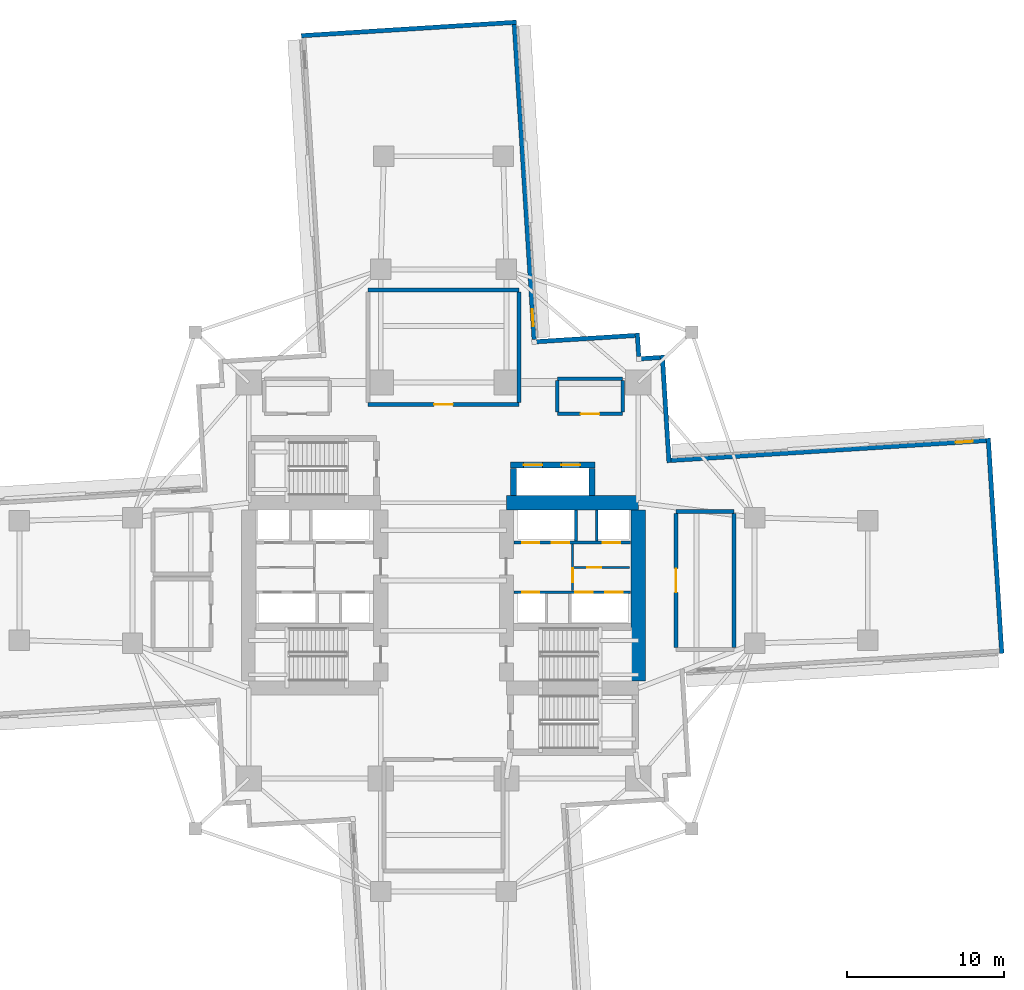
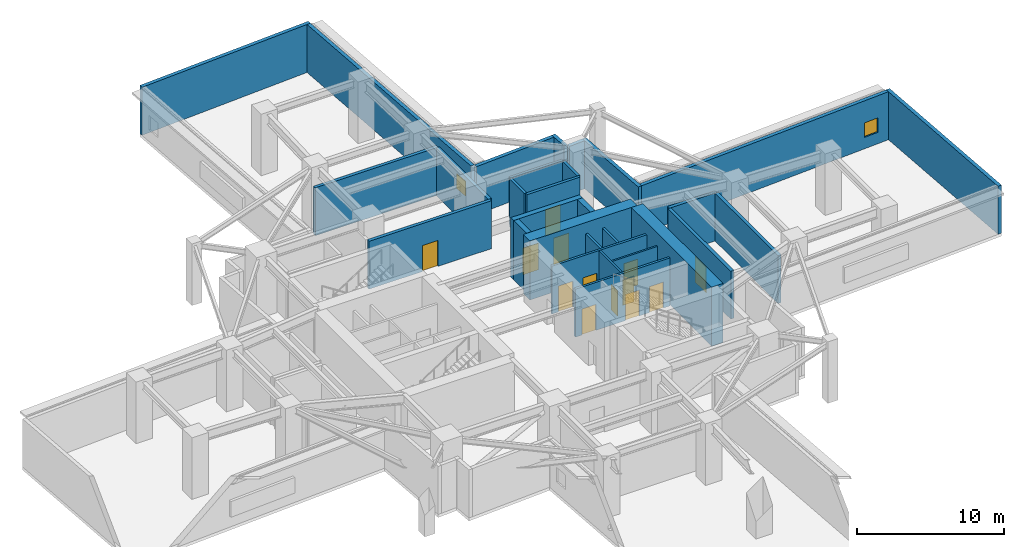
# One storey, part 5 of 11: 29 walls, 13 doors, 2 windows, 15 openings.
"""IFC4 building model written with IfcOpenShell, lengths in metres."""

from ifc_helpers import new_model, si_unit, direction, frame, frame_2d, origin, place, context, subcontext, project, spatial, rectangle, extrude, material, layer, layer_set, type_object, element, fill, save


model = new_model("IFC4")

# Units and contexts
model_context = context("Model", 3, precision=1e-05, world=origin(), true_north=direction((0.0, 1.0)))
body_context = subcontext(model_context, "Body", "Model", "MODEL_VIEW")
ifc_project = project(units=[si_unit("LENGTHUNIT", "METRE"), si_unit("AREAUNIT", "SQUARE_METRE"), si_unit("VOLUMEUNIT", "CUBIC_METRE"), si_unit("PLANEANGLEUNIT", "RADIAN"), si_unit("MASSUNIT", "GRAM", prefix="KILO")], contexts=[model_context])

# Site, building, storey
site_placement = place(None, origin())
site = spatial("IfcSite", under=ifc_project, at=site_placement, CompositionType="ELEMENT")
building_placement = place(site_placement, origin())
building = spatial("IfcBuilding", under=site, at=building_placement, Name="Qingluan Cross Belvedere", CompositionType="ELEMENT")
storey_placement = place(building_placement, frame((0.0, 0.0, 47.10009765625)))
storey = spatial("IfcBuildingStorey", under=building, at=storey_placement, Name="L12", CompositionType="ELEMENT", Elevation=47.10009765625)

# Wall
ifc_material_1 = material(Name="Concrete C50", Category="concrete")
ifc_layer_1 = layer(ifc_material_1, 0.449951171875, Name="CoreShearWall_450")
ifc_layer_set_1 = layer_set([ifc_layer_1], Name="Concrete C50")
wall_type_1 = type_object("IfcWallType", Name="CoreShearWall_450", PredefinedType="SHEAR", material=ifc_layer_set_1)
wall_1_placement = place(storey_placement, frame((4.449951171875, 5.405029296875, 0.0), z_axis=(0.0, 0.0, 1.0), x_axis=(0.0, 1.0, 0.0)))
element("IfcWall", 1, at=wall_1_placement, inside=storey, type_object=wall_type_1, Name="Express shuttle core wall L12-W", PredefinedType="SHEAR", context=body_context, shape_type="SweptSolid", body=[
    extrude(rectangle(XDim=1.73486328125, YDim=0.39990234375, at=frame_2d((0.867431640625, 0.0))), origin(), (0.0, 0.0, 1.0), 4.89990234375),
])

# Wall, openings, doors
wall_2_placement = place(storey_placement, frame((4.25, 7.35009765625, 0.0), z_axis=(0.0, 0.0, 1.0), x_axis=(1.0, 0.0, 0.0)))
wall_2 = element("IfcWall", 2, at=wall_2_placement, inside=storey, type_object=wall_type_1, Name="Express shuttle core wall L12-N", PredefinedType="SHEAR", context=body_context, shape_type="SweptSolid", body=[
    extrude(rectangle(XDim=5.39990234375, YDim=0.39990234375, at=frame_2d((2.699951171875, 0.0))), origin(), (0.0, 0.0, 1.0), 4.89990234375),
])
opening_1_placement = place(wall_2_placement, frame((0.85009765625, 0.0, 0.0)))
opening_1 = element("IfcOpeningElement", 3, at=opening_1_placement, cuts=wall_2, Name="Opening LD-12", PredefinedType="OPENING", context=body_context, shape_type="SweptSolid", body=[
    extrude(rectangle(XDim=1.199951171875, YDim=2.199951171875, at=frame_2d((0.60009765625, 1.10009765625))), frame((0.0, 0.2099609375, 0.0), z_axis=(0.0, -1.0, 0.0), x_axis=(1.0, 0.0, 0.0)), (0.0, 0.0, 1.0), 0.419921875),
])
opening_2_placement = place(wall_2_placement, frame((3.25, 0.0, 0.0)))
opening_2 = element("IfcOpeningElement", 4, at=opening_2_placement, cuts=wall_2, Name="Opening LD-12", PredefinedType="OPENING", context=body_context, shape_type="SweptSolid", body=[
    extrude(rectangle(XDim=1.199951171875, YDim=2.199951171875, at=frame_2d((0.60009765625, 1.10009765625))), frame((0.0, 0.2099609375, 0.0), z_axis=(0.0, -1.0, 0.0), x_axis=(1.0, 0.0, 0.0)), (0.0, 0.0, 1.0), 0.419921875),
])
ifc_material_2 = material(Name="Bronze-anodised stainless steel lift landing door", Category="steel")
door_type_1 = type_object("IfcDoorType", Name="ExpressLiftSlidingDoor_1200", OperationType="DOUBLE_DOOR_SLIDING", PredefinedType="DOOR", material=ifc_material_2)
door_1_placement = place(opening_1_placement, origin())
door_1 = element("IfcDoor", 5, at=door_1_placement, inside=storey, type_object=door_type_1, Name="Express shuttle landing sliding door LPX1 L12", OperationType="DOUBLE_DOOR_SLIDING", OverallHeight=2.199951171875, OverallWidth=1.199951171875, PredefinedType="DOOR", context=body_context, shape_type="SweptSolid", body=[
    extrude(rectangle(XDim=1.199951171875, YDim=2.199951171875, at=frame_2d((0.60009765625, 1.10009765625))), frame((0.0, 0.02490234375, 0.0), z_axis=(0.0, -1.0, 0.0), x_axis=(1.0, 0.0, 0.0)), (0.0, 0.0, 1.0), 0.050048828125),
])
fill(opening_1, door_1)
door_2_placement = place(opening_2_placement, origin())
door_2 = element("IfcDoor", 6, at=door_2_placement, inside=storey, type_object=door_type_1, Name="Express shuttle landing sliding door LPX2 L12", OperationType="DOUBLE_DOOR_SLIDING", OverallHeight=2.199951171875, OverallWidth=1.199951171875, PredefinedType="DOOR", context=body_context, shape_type="SweptSolid", body=[
    extrude(rectangle(XDim=1.199951171875, YDim=2.199951171875, at=frame_2d((0.60009765625, 1.10009765625))), frame((0.0, 0.02490234375, 0.0), z_axis=(0.0, -1.0, 0.0), x_axis=(1.0, 0.0, 0.0)), (0.0, 0.0, 1.0), 0.050048828125),
])
fill(opening_2, door_2)

# Walls
wall_3_placement = place(storey_placement, frame((9.449951171875, 5.405029296875, 0.0), z_axis=(0.0, 0.0, 1.0), x_axis=(0.0, 1.0, 0.0)))
element("IfcWall", 7, at=wall_3_placement, inside=storey, type_object=wall_type_1, Name="Express shuttle core wall L12-E", PredefinedType="SHEAR", context=body_context, shape_type="SweptSolid", body=[
    extrude(rectangle(XDim=1.73486328125, YDim=0.39990234375, at=frame_2d((0.867431640625, 0.0))), origin(), (0.0, 0.0, 1.0), 4.89990234375),
])
ifc_material_3 = material(Name="Concrete C70", Category="concrete")
ifc_layer_2 = layer(ifc_material_3, 0.89990234375, Name="CoreShearWall_900")
ifc_layer_set_2 = layer_set([ifc_layer_2], Name="Concrete C70")
wall_type_2 = type_object("IfcWallType", Name="CoreShearWall_900", PredefinedType="SHEAR", material=ifc_layer_set_2)
wall_4_placement = place(storey_placement, frame((4.0, 4.949951171875, 0.0), z_axis=(0.0, 0.0, 1.0), x_axis=(1.0, 0.0, 0.0)))
element("IfcWall", 8, at=wall_4_placement, inside=storey, type_object=wall_type_2, Name="Split core E shear wall L12-N", PredefinedType="SHEAR", context=body_context, shape_type="SweptSolid", body=[
    extrude(rectangle(XDim=8.39990234375, YDim=0.89990234375, at=frame_2d((4.199951171875, 0.0))), origin(), (0.0, 0.0, 1.0), 4.89990234375),
])
wall_5_placement = place(storey_placement, frame((12.39990234375, -6.39501953125, 0.0), z_axis=(0.0, 0.0, 1.0), x_axis=(0.0, 1.0, 0.0)))
element("IfcWall", 9, at=wall_5_placement, inside=storey, type_object=wall_type_2, Name="Split core E shear wall L12-E", PredefinedType="SHEAR", context=body_context, shape_type="SweptSolid", body=[
    extrude(rectangle(XDim=10.89013671875, YDim=0.89990234375, at=frame_2d((5.445068359375, 0.0))), origin(), (0.0, 0.0, 1.0), 4.89990234375),
])

# Wall, opening, door
ifc_material_4 = material(Name="Gypsum plasterboard on steel stud acoustic partition", Category="steel")
ifc_layer_3 = layer(ifc_material_4, 0.159912109375, Name="CorridorPartition_160")
ifc_layer_set_3 = layer_set([ifc_layer_3], Name="Gypsum plasterboard on steel stud acoustic partition")
wall_type_3 = type_object("IfcWallType", Name="CorridorPartition_160", PredefinedType="PARTITIONING", material=ifc_layer_set_3)
wall_6_placement = place(storey_placement, frame((8.298095703125, 0.830078125, 0.0), z_axis=(0.0, 0.0, 1.0), x_axis=(1.0, 0.0, 0.0)))
wall_6 = element("IfcWall", 10, at=wall_6_placement, inside=storey, type_object=wall_type_3, Name="Partition L12:e", PredefinedType="PARTITIONING", context=body_context, shape_type="SweptSolid", body=[
    extrude(rectangle(XDim=3.552001953125, YDim=0.139892578125, at=frame_2d((1.77587890625, 0.0))), origin(), (0.0, 0.0, 1.0), 3.969970703125),
])
opening_3_placement = place(wall_6_placement, frame((0.85009765625, 0.0, 0.0)))
opening_3 = element("IfcOpeningElement", 11, at=opening_3_placement, cuts=wall_6, Name="Opening FD-B10", PredefinedType="OPENING", context=body_context, shape_type="SweptSolid", body=[
    extrude(rectangle(XDim=0.8798828125, YDim=2.10009765625, at=frame_2d((0.43994140625, 1.050048828125))), frame((0.0, 0.079833984375, 0.0), z_axis=(0.0, -1.0, 0.0), x_axis=(1.0, 0.0, 0.0)), (0.0, 0.0, 1.0), 0.159912109375),
])
ifc_material_5 = material(Name="Steel Class B service fire door", Category="steel")
door_type_2 = type_object("IfcDoorType", Name="RiserServiceFireDoor_FDB", OperationType="NOTDEFINED", PredefinedType="DOOR", material=ifc_material_5)
door_3_placement = place(opening_3_placement, origin())
door_3 = element("IfcDoor", 12, at=door_3_placement, inside=storey, type_object=door_type_2, Name="Service closet inner door L12", OperationType="SINGLE_SWING_LEFT", OverallHeight=2.10009765625, OverallWidth=0.8798828125, PredefinedType="DOOR", context=body_context, shape_type="SweptSolid", body=[
    extrude(rectangle(XDim=0.8798828125, YDim=2.10009765625, at=frame_2d((0.43994140625, 1.050048828125))), frame((0.0, 0.02490234375, 0.0), z_axis=(0.0, -1.0, 0.0), x_axis=(1.0, 0.0, 0.0)), (0.0, 0.0, 1.0), 0.050048828125),
])
fill(opening_3, door_3)

wall_7_placement = place(storey_placement, frame((7.25, 10.60009765625, 0.0), z_axis=(0.0, 0.0, 1.0), x_axis=(1.0, 0.0, 0.0)))
wall_7 = element("IfcWall", 13, at=wall_7_placement, inside=storey, type_object=wall_type_3, Name="Partition L12:refuge_ne:S", PredefinedType="PARTITIONING", context=body_context, shape_type="SweptSolid", body=[
    extrude(rectangle(XDim=4.14990234375, YDim=0.219970703125, at=frame_2d((2.074951171875, 0.0))), origin(), (0.0, 0.0, 1.0), 3.969970703125),
])
opening_4_placement = place(wall_7_placement, frame((1.47509765625, 0.0, 0.0)))
opening_4 = element("IfcOpeningElement", 14, at=opening_4_placement, cuts=wall_7, Name="Opening FD-A12", PredefinedType="OPENING", context=body_context, shape_type="SweptSolid", body=[
    extrude(rectangle(XDim=1.199951171875, YDim=2.14990234375, at=frame_2d((0.60009765625, 1.074951171875))), frame((0.0, 0.119873046875, 0.0), z_axis=(0.0, -1.0, 0.0), x_axis=(1.0, 0.0, 0.0)), (0.0, 0.0, 1.0), 0.239990234375),
])
ifc_material_6 = material(Name="Insulated steel Class A fire door", Category="steel")
door_type_3 = type_object("IfcDoorType", Name="RefugeCompartmentDoor_FDA", OperationType="NOTDEFINED", PredefinedType="DOOR", material=ifc_material_6)
door_4_placement = place(opening_4_placement, origin())
door_4 = element("IfcDoor", 15, at=door_4_placement, inside=storey, type_object=door_type_3, Name="Fire refuge bay Northeast L12 door", OperationType="SINGLE_SWING_LEFT", OverallHeight=2.14990234375, OverallWidth=1.199951171875, PredefinedType="DOOR", context=body_context, shape_type="SweptSolid", body=[
    extrude(rectangle(XDim=1.199951171875, YDim=2.14990234375, at=frame_2d((0.60009765625, 1.074951171875))), frame((0.0, 0.02490234375, 0.0), z_axis=(0.0, -1.0, 0.0), x_axis=(1.0, 0.0, 0.0)), (0.0, 0.0, 1.0), 0.050048828125),
])
fill(opening_4, door_4)

# Walls
wall_8_placement = place(storey_placement, frame((7.25, 12.85009765625, 0.0), z_axis=(0.0, 0.0, 1.0), x_axis=(1.0, 0.0, 0.0)))
element("IfcWall", 16, at=wall_8_placement, inside=storey, type_object=wall_type_3, Name="Partition L12:refuge_ne:N", PredefinedType="PARTITIONING", context=body_context, shape_type="SweptSolid", body=[
    extrude(rectangle(XDim=4.14990234375, YDim=0.219970703125, at=frame_2d((2.074951171875, 0.0))), origin(), (0.0, 0.0, 1.0), 3.969970703125),
])
for number, where, z_axis, x_axis, name in (
    (17, (7.25, 10.715087890625, 0.0), (0.0, 0.0, 1.0), (0.0, 1.0, 0.0), "Partition L12:refuge_ne:W"),
    (18, (11.39990234375, 10.715087890625, 0.0), (0.0, 0.0, 1.0), (0.0, 1.0, 0.0), "Partition L12:refuge_ne:E"),
):
    element("IfcWall", number, at=place(storey_placement, frame(where, z_axis=z_axis, x_axis=x_axis)), inside=storey, type_object=wall_type_3, Name=name, PredefinedType="PARTITIONING", context=body_context, shape_type="SweptSolid", body=[
        extrude(rectangle(XDim=2.02001953125, YDim=0.219970703125, at=frame_2d((1.010009765625, 0.0))), origin(), (0.0, 0.0, 1.0), 3.969970703125),
    ])

# Wall, opening, door
ifc_material_7 = material(Name="Concrete C40", Category="concrete")
ifc_layer_4 = layer(ifc_material_7, 0.300048828125, Name="FireCompartmentWall_300")
ifc_layer_set_4 = layer_set([ifc_layer_4], Name="Concrete C40")
wall_type_4 = type_object("IfcWallType", Name="FireCompartmentWall_300", PredefinedType="SOLIDWALL", material=ifc_layer_set_4)
wall_9_placement = place(storey_placement, frame((-4.800048828125, 11.199951171875, 0.0), z_axis=(0.0, 0.0, 1.0), x_axis=(1.0, 0.0, 0.0)))
wall_9 = element("IfcWall", 19, at=wall_9_placement, inside=storey, type_object=wall_type_4, Name="Partition L12:refuge_n:S", PredefinedType="SOLIDWALL", context=body_context, shape_type="SweptSolid", body=[
    extrude(rectangle(XDim=9.60009765625, YDim=0.25, at=frame_2d((4.800048828125, 0.0))), origin(), (0.0, 0.0, 1.0), 3.969970703125),
])
opening_5_placement = place(wall_9_placement, frame((4.199951171875, 0.0, 0.0)))
opening_5 = element("IfcOpeningElement", 20, at=opening_5_placement, cuts=wall_9, Name="Opening FD-A12", PredefinedType="OPENING", context=body_context, shape_type="SweptSolid", body=[
    extrude(rectangle(XDim=1.199951171875, YDim=2.14990234375, at=frame_2d((0.60009765625, 1.074951171875))), frame((0.0, 0.135009765625, 0.0), z_axis=(0.0, -1.0, 0.0), x_axis=(1.0, 0.0, 0.0)), (0.0, 0.0, 1.0), 0.27001953125),
])
door_5_placement = place(opening_5_placement, origin())
door_5 = element("IfcDoor", 21, at=door_5_placement, inside=storey, type_object=door_type_3, Name="Fire refuge area North L12 door", OperationType="SINGLE_SWING_RIGHT", OverallHeight=2.14990234375, OverallWidth=1.199951171875, PredefinedType="DOOR", context=body_context, shape_type="SweptSolid", body=[
    extrude(rectangle(XDim=1.199951171875, YDim=2.14990234375, at=frame_2d((0.60009765625, 1.074951171875))), frame((0.0, 0.02490234375, 0.0), z_axis=(0.0, -1.0, 0.0), x_axis=(1.0, 0.0, 0.0)), (0.0, 0.0, 1.0), 0.050048828125),
])
fill(opening_5, door_5)

# Walls
wall_10_placement = place(storey_placement, frame((-4.800048828125, 18.5, 0.0), z_axis=(0.0, 0.0, 1.0), x_axis=(1.0, 0.0, 0.0)))
element("IfcWall", 22, at=wall_10_placement, inside=storey, type_object=wall_type_4, Name="Partition L12:refuge_n:N", PredefinedType="SOLIDWALL", context=body_context, shape_type="SweptSolid", body=[
    extrude(rectangle(XDim=9.60009765625, YDim=0.25, at=frame_2d((4.800048828125, 0.0))), origin(), (0.0, 0.0, 1.0), 3.969970703125),
])
wall_11_placement = place(storey_placement, frame((4.800048828125, 11.330078125, 0.0), z_axis=(0.0, 0.0, 1.0), x_axis=(0.0, 1.0, 0.0)))
element("IfcWall", 23, at=wall_11_placement, inside=storey, type_object=wall_type_4, Name="Partition L12:refuge_n:E", PredefinedType="SOLIDWALL", context=body_context, shape_type="SweptSolid", body=[
    extrude(rectangle(XDim=7.0400390625, YDim=0.25, at=frame_2d((3.52001953125, 0.0))), origin(), (0.0, 0.0, 1.0), 3.969970703125),
])
wall_12_placement = place(storey_placement, frame((14.800048828125, 4.39990234375, 0.0), z_axis=(0.0, 0.0, 1.0), x_axis=(1.0, 0.0, 0.0)))
element("IfcWall", 24, at=wall_12_placement, inside=storey, type_object=wall_type_4, Name="Partition L12:ahu_plant:N", PredefinedType="SOLIDWALL", context=body_context, shape_type="SweptSolid", body=[
    extrude(rectangle(XDim=3.699951171875, YDim=0.25, at=frame_2d((1.85009765625, 0.0))), origin(), (0.0, 0.0, 1.0), 3.969970703125),
])

# Wall, opening, door
wall_13_placement = place(storey_placement, frame((14.800048828125, -4.27001953125, 0.0), z_axis=(0.0, 0.0, 1.0), x_axis=(0.0, 1.0, 0.0)))
wall_13 = element("IfcWall", 25, at=wall_13_placement, inside=storey, type_object=wall_type_4, Name="Partition L12:ahu_plant:W", PredefinedType="SOLIDWALL", context=body_context, shape_type="SweptSolid", body=[
    extrude(rectangle(XDim=8.5400390625, YDim=0.25, at=frame_2d((4.27001953125, 0.0))), origin(), (0.0, 0.0, 1.0), 3.969970703125),
])
opening_6_placement = place(wall_13_placement, frame((3.52001953125, 0.0, 0.0)))
opening_6 = element("IfcOpeningElement", 26, at=opening_6_placement, cuts=wall_13, Name="Opening FD-A15", PredefinedType="OPENING", context=body_context, shape_type="SweptSolid", body=[
    extrude(rectangle(XDim=1.5, YDim=2.14990234375, at=frame_2d((0.75, 1.074951171875))), frame((0.0, 0.135009765625, 0.0), z_axis=(0.0, -1.0, 0.0), x_axis=(1.0, 0.0, 0.0)), (0.0, 0.0, 1.0), 0.27001953125),
])
ifc_material_8 = material(Name="Insulated steel Class A double fire door", Category="steel")
door_type_4 = type_object("IfcDoorType", Name="PlantDoubleFireDoor_FDA", OperationType="DOUBLE_DOOR_SINGLE_SWING", PredefinedType="DOOR", material=ifc_material_8)
door_6_placement = place(opening_6_placement, origin())
door_6 = element("IfcDoor", 27, at=door_6_placement, inside=storey, type_object=door_type_4, Name="Air handling ventilation plant room L12 door", OperationType="DOUBLE_DOOR_SINGLE_SWING", OverallHeight=2.14990234375, OverallWidth=1.5, PredefinedType="DOOR", context=body_context, shape_type="SweptSolid", body=[
    extrude(rectangle(XDim=1.5, YDim=2.14990234375, at=frame_2d((0.75, 1.074951171875))), frame((0.0, 0.02490234375, 0.0), z_axis=(0.0, -1.0, 0.0), x_axis=(1.0, 0.0, 0.0)), (0.0, 0.0, 1.0), 0.050048828125),
])
fill(opening_6, door_6)

# Wall
wall_14_placement = place(storey_placement, frame((18.5, -4.27001953125, 0.0), z_axis=(0.0, 0.0, 1.0), x_axis=(0.0, 1.0, 0.0)))
element("IfcWall", 28, at=wall_14_placement, inside=storey, type_object=wall_type_4, Name="Partition L12:ahu_plant:E", PredefinedType="SOLIDWALL", context=body_context, shape_type="SweptSolid", body=[
    extrude(rectangle(XDim=8.5400390625, YDim=0.25, at=frame_2d((4.27001953125, 0.0))), origin(), (0.0, 0.0, 1.0), 3.969970703125),
])

# Wall, opening, window
ifc_material_9 = material(Name="Precast concrete C45", Category="concrete")
ifc_layer_5 = layer(ifc_material_9, 0.280029296875, Name="PrecastFacadeWall_280")
ifc_layer_set_5 = layer_set([ifc_layer_5], Name="Precast concrete C45")
wall_type_5 = type_object("IfcWallType", Name="PrecastFacadeWall_280", PredefinedType="STANDARD", material=ifc_layer_set_5)
wall_15_placement = place(storey_placement, frame((34.548828125, 8.906982421875, 0.0), z_axis=(0.0, 0.0, 1.0), x_axis=(-0.99802635503, -0.06279645424, 0.0)))
wall_15 = element("IfcWall", 29, at=wall_15_placement, inside=storey, type_object=wall_type_5, Name="Facade wall L12-EB", PredefinedType="STANDARD", context=body_context, shape_type="SweptSolid", body=[
    extrude(rectangle(XDim=20.099853515625, YDim=0.280029296875, at=frame_2d((10.0498046875, 0.0))), origin(), (0.0, 0.0, 1.0), 3.97998046875),
])
opening_7_placement = place(wall_15_placement, frame((0.85009765625, 0.0, 0.949951171875)))
opening_7 = element("IfcOpeningElement", 30, at=opening_7_placement, cuts=wall_15, Name="Opening W-07", PredefinedType="OPENING", context=body_context, shape_type="SweptSolid", body=[
    extrude(rectangle(XDim=1.10009765625, YDim=1.199951171875, at=frame_2d((0.550048828125, 0.60009765625))), frame((0.0, 0.14990234375, 0.0), z_axis=(0.0, -1.0, 0.0), x_axis=(1.0, 0.0, 0.0)), (0.0, 0.0, 1.0), 0.300048828125),
])
ifc_material_10 = material(Name="Thermally broken triple Low-E glass in aluminium frame", Category="aluminium")
window_type = type_object("IfcWindowType", Name="RefugeSmokeWin_1100x1200", PartitioningType="SINGLE_PANEL", PredefinedType="WINDOW", material=ifc_material_10)
window_1_placement = place(opening_7_placement, origin())
window_1 = element("IfcWindow", 31, at=window_1_placement, inside=storey, type_object=window_type, Name="Refuge operable smoke window L12-EB", OverallHeight=1.199951171875, OverallWidth=1.10009765625, PartitioningType="SINGLE_PANEL", PredefinedType="WINDOW", context=body_context, shape_type="SweptSolid", body=[
    extrude(rectangle(XDim=1.10009765625, YDim=1.199951171875, at=frame_2d((0.550048828125, 0.60009765625))), frame((0.0, 0.030029296875, 0.0), z_axis=(0.0, -1.0, 0.0), x_axis=(1.0, 0.0, 0.0)), (0.0, 0.0, 1.0), 0.06005859375),
])
fill(opening_7, window_1)

# Wall
wall_16_placement = place(storey_placement, frame((35.541259765625, -4.637451171875, 0.0), z_axis=(0.0, 0.0, 1.0), x_axis=(-0.062797041623, 0.998026318072, 0.0)))
element("IfcWall", 32, at=wall_16_placement, inside=storey, type_object=wall_type_5, Name="Arm tip precast facade wall L12-E", PredefinedType="STANDARD", context=body_context, shape_type="SweptSolid", body=[
    extrude(rectangle(XDim=13.719970703125, YDim=0.280029296875, at=frame_2d((6.85986328125, 0.0))), origin(), (0.0, 0.0, 1.0), 3.97998046875),
])

# Wall, opening, window
wall_17_placement = place(storey_placement, frame((5.7685546875, 15.33251953125, 0.0), z_axis=(0.0, 0.0, 1.0), x_axis=(-0.062784355807, 0.998027116198, 0.0)))
wall_17 = element("IfcWall", 33, at=wall_17_placement, inside=storey, type_object=wall_type_5, Name="Facade wall L12-NA", PredefinedType="STANDARD", context=body_context, shape_type="SweptSolid", body=[
    extrude(rectangle(XDim=20.099853515625, YDim=0.280029296875, at=frame_2d((10.0498046875, 0.0))), origin(), (0.0, 0.0, 1.0), 3.97998046875),
])
opening_8_placement = place(wall_17_placement, frame((0.85009765625, 0.0, 0.949951171875)))
opening_8 = element("IfcOpeningElement", 34, at=opening_8_placement, cuts=wall_17, Name="Opening W-07", PredefinedType="OPENING", context=body_context, shape_type="SweptSolid", body=[
    extrude(rectangle(XDim=1.10009765625, YDim=1.199951171875, at=frame_2d((0.550048828125, 0.60009765625))), frame((0.0, 0.14990234375, 0.0), z_axis=(0.0, -1.0, 0.0), x_axis=(1.0, 0.0, 0.0)), (0.0, 0.0, 1.0), 0.300048828125),
])
window_2_placement = place(opening_8_placement, origin())
window_2 = element("IfcWindow", 35, at=window_2_placement, inside=storey, type_object=window_type, Name="Refuge operable smoke window L12-NA", OverallHeight=1.199951171875, OverallWidth=1.10009765625, PartitioningType="SINGLE_PANEL", PredefinedType="WINDOW", context=body_context, shape_type="SweptSolid", body=[
    extrude(rectangle(XDim=1.10009765625, YDim=1.199951171875, at=frame_2d((0.550048828125, 0.60009765625))), frame((0.0, 0.030029296875, 0.0), z_axis=(0.0, -1.0, 0.0), x_axis=(1.0, 0.0, 0.0)), (0.0, 0.0, 1.0), 0.06005859375),
])
fill(opening_8, window_2)

# Walls
wall_18_placement = place(storey_placement, frame((4.637451171875, 35.541259765625, 0.0), z_axis=(0.0, 0.0, 1.0), x_axis=(-0.998026318072, -0.062797041623, 0.0)))
element("IfcWall", 36, at=wall_18_placement, inside=storey, type_object=wall_type_5, Name="Arm tip precast facade wall L12-N", PredefinedType="STANDARD", context=body_context, shape_type="SweptSolid", body=[
    extrude(rectangle(XDim=13.719970703125, YDim=0.280029296875, at=frame_2d((6.85986328125, 0.0))), origin(), (0.0, 0.0, 1.0), 3.97998046875),
])
wall_19_placement = place(storey_placement, frame((14.357666015625, 7.496337890625, 0.0), z_axis=(0.0, 0.0, 1.0), x_axis=(-0.062779317195, 0.998027433156, 0.0)))
element("IfcWall", 37, at=wall_19_placement, inside=storey, type_object=wall_type_5, Name="Corner wall L12-NE1", PredefinedType="STANDARD", context=body_context, shape_type="SweptSolid", body=[
    extrude(rectangle(XDim=6.85986328125, YDim=0.280029296875, at=frame_2d((3.429931640625, 0.0))), origin(), (0.0, 0.0, 1.0), 3.97998046875),
])
wall_20_placement = place(storey_placement, frame((13.7958984375, 14.1943359375, 0.0), z_axis=(0.0, 0.0, 1.0), x_axis=(-0.998023660242, -0.06283926796, 0.0)))
element("IfcWall", 38, at=wall_20_placement, inside=storey, type_object=wall_type_5, Name="Corner wall L12-NE2", PredefinedType="STANDARD", context=body_context, shape_type="SweptSolid", body=[
    extrude(rectangle(XDim=1.219970703125, YDim=0.280029296875, at=frame_2d((0.60986328125, 0.0))), origin(), (0.0, 0.0, 1.0), 3.97998046875),
])
wall_21_placement = place(storey_placement, frame((12.429931640625, 14.24853515625, 0.0), z_axis=(0.0, 0.0, 1.0), x_axis=(-0.062824119533, 0.998024613927, 0.0)))
element("IfcWall", 39, at=wall_21_placement, inside=storey, type_object=wall_type_5, Name="Corner wall L12-NE3", PredefinedType="STANDARD", context=body_context, shape_type="SweptSolid", body=[
    extrude(rectangle(XDim=1.5, YDim=0.280029296875, at=frame_2d((0.75, 0.0))), origin(), (0.0, 0.0, 1.0), 3.97998046875),
])
wall_22_placement = place(storey_placement, frame((12.20458984375, 15.59716796875, 0.0), z_axis=(0.0, 0.0, 1.0), x_axis=(-0.998024885752, -0.062819801181, 0.0)))
element("IfcWall", 40, at=wall_22_placement, inside=storey, type_object=wall_type_5, Name="Corner wall L12-NE4", PredefinedType="STANDARD", context=body_context, shape_type="SweptSolid", body=[
    extrude(rectangle(XDim=6.2998046875, YDim=0.280029296875, at=frame_2d((3.14990234375, 0.0))), origin(), (0.0, 0.0, 1.0), 3.97998046875),
])

# Wall, openings, doors
ifc_material_11 = material(Name="Concrete C40", Category="concrete")
ifc_layer_6 = layer(ifc_material_11, 0.219970703125, Name="ShaftEnclosureWall_250")
ifc_layer_set_6 = layer_set([ifc_layer_6], Name="Concrete C40")
wall_type_6 = type_object("IfcWallType", Name="ShaftEnclosureWall_250", PredefinedType="SOLIDWALL", material=ifc_layer_set_6)
wall_23_placement = place(storey_placement, frame((4.47998046875, 2.409912109375, 0.0), z_axis=(0.0, 0.0, 1.0), x_axis=(1.0, 0.0, 0.0)))
wall_23 = element("IfcWall", 41, at=wall_23_placement, inside=storey, type_object=wall_type_6, Name="Core-E north hoistway wall L12", PredefinedType="SOLIDWALL", context=body_context, shape_type="SweptSolid", body=[
    extrude(rectangle(XDim=7.419921875, YDim=0.179931640625, at=frame_2d((3.7099609375, 0.0))), origin(), (0.0, 0.0, 1.0), 3.969970703125),
])
opening_9_placement = place(wall_23_placement, frame((5.669921875, 0.0, 0.0)))
opening_9 = element("IfcOpeningElement", 42, at=opening_9_placement, cuts=wall_23, Name="Opening LD-11", PredefinedType="OPENING", context=body_context, shape_type="SweptSolid", body=[
    extrude(rectangle(XDim=1.10009765625, YDim=2.14990234375, at=frame_2d((0.550048828125, 1.074951171875))), frame((0.0, 0.099853515625, 0.0), z_axis=(0.0, -1.0, 0.0), x_axis=(1.0, 0.0, 0.0)), (0.0, 0.0, 1.0), 0.199951171875),
])
opening_10_placement = place(wall_23_placement, frame((0.52001953125, 0.0, 0.0)))
opening_10 = element("IfcOpeningElement", 43, at=opening_10_placement, cuts=wall_23, Name="Opening LD-11", PredefinedType="OPENING", context=body_context, shape_type="SweptSolid", body=[
    extrude(rectangle(XDim=1.10009765625, YDim=2.14990234375, at=frame_2d((0.550048828125, 1.074951171875))), frame((0.0, 0.099853515625, 0.0), z_axis=(0.0, -1.0, 0.0), x_axis=(1.0, 0.0, 0.0)), (0.0, 0.0, 1.0), 0.199951171875),
])
opening_11_placement = place(wall_23_placement, frame((2.419921875, 0.0, 0.0)))
opening_11 = element("IfcOpeningElement", 44, at=opening_11_placement, cuts=wall_23, Name="Opening LD-11", PredefinedType="OPENING", context=body_context, shape_type="SweptSolid", body=[
    extrude(rectangle(XDim=1.10009765625, YDim=2.14990234375, at=frame_2d((0.550048828125, 1.074951171875))), frame((0.0, 0.099853515625, 0.0), z_axis=(0.0, -1.0, 0.0), x_axis=(1.0, 0.0, 0.0)), (0.0, 0.0, 1.0), 0.199951171875),
])
ifc_material_12 = material(Name="Brushed stainless steel centre-opening lift landing door", Category="steel")
door_type_5 = type_object("IfcDoorType", Name="LiftLandingSlidingDoor_1100", OperationType="DOUBLE_DOOR_SLIDING", PredefinedType="DOOR", material=ifc_material_12)
door_7_placement = place(opening_9_placement, origin())
door_7 = element("IfcDoor", 45, at=door_7_placement, inside=storey, type_object=door_type_5, Name="Lift landing sliding door FL2 L12", OperationType="DOUBLE_DOOR_SLIDING", OverallHeight=2.14990234375, OverallWidth=1.10009765625, PredefinedType="DOOR", context=body_context, shape_type="SweptSolid", body=[
    extrude(rectangle(XDim=1.10009765625, YDim=2.14990234375, at=frame_2d((0.550048828125, 1.074951171875))), frame((0.0, 0.02490234375, 0.0), z_axis=(0.0, -1.0, 0.0), x_axis=(1.0, 0.0, 0.0)), (0.0, 0.0, 1.0), 0.050048828125),
])
fill(opening_9, door_7)
door_8_placement = place(opening_10_placement, origin())
door_8 = element("IfcDoor", 46, at=door_8_placement, inside=storey, type_object=door_type_5, Name="Lift landing sliding door LP3 L12", OperationType="DOUBLE_DOOR_SLIDING", OverallHeight=2.14990234375, OverallWidth=1.10009765625, PredefinedType="DOOR", context=body_context, shape_type="SweptSolid", body=[
    extrude(rectangle(XDim=1.10009765625, YDim=2.14990234375, at=frame_2d((0.550048828125, 1.074951171875))), frame((0.0, 0.02490234375, 0.0), z_axis=(0.0, -1.0, 0.0), x_axis=(1.0, 0.0, 0.0)), (0.0, 0.0, 1.0), 0.050048828125),
])
fill(opening_10, door_8)
door_9_placement = place(opening_11_placement, origin())
door_9 = element("IfcDoor", 47, at=door_9_placement, inside=storey, type_object=door_type_5, Name="Lift landing sliding door LP4 L12", OperationType="DOUBLE_DOOR_SLIDING", OverallHeight=2.14990234375, OverallWidth=1.10009765625, PredefinedType="DOOR", context=body_context, shape_type="SweptSolid", body=[
    extrude(rectangle(XDim=1.10009765625, YDim=2.14990234375, at=frame_2d((0.550048828125, 1.074951171875))), frame((0.0, 0.02490234375, 0.0), z_axis=(0.0, -1.0, 0.0), x_axis=(1.0, 0.0, 0.0)), (0.0, 0.0, 1.0), 0.050048828125),
])
fill(opening_11, door_9)

wall_24_placement = place(storey_placement, frame((4.47998046875, -0.75, 0.0), z_axis=(0.0, 0.0, 1.0), x_axis=(1.0, 0.0, 0.0)))
wall_24 = element("IfcWall", 48, at=wall_24_placement, inside=storey, type_object=wall_type_6, Name="Core-E mid hoistway wall L12", PredefinedType="SOLIDWALL", context=body_context, shape_type="SweptSolid", body=[
    extrude(rectangle(XDim=7.419921875, YDim=0.179931640625, at=frame_2d((3.7099609375, 0.0))), origin(), (0.0, 0.0, 1.0), 3.969970703125),
])
opening_12_placement = place(wall_24_placement, frame((0.52001953125, 0.0, 0.0)))
opening_12 = element("IfcOpeningElement", 49, at=opening_12_placement, cuts=wall_24, Name="Opening LD-11", PredefinedType="OPENING", context=body_context, shape_type="SweptSolid", body=[
    extrude(rectangle(XDim=1.10009765625, YDim=2.14990234375, at=frame_2d((0.550048828125, 1.074951171875))), frame((0.0, 0.099853515625, 0.0), z_axis=(0.0, -1.0, 0.0), x_axis=(1.0, 0.0, 0.0)), (0.0, 0.0, 1.0), 0.199951171875),
])
opening_13_placement = place(wall_24_placement, frame((3.919921875, 0.0, 0.0)))
opening_13 = element("IfcOpeningElement", 50, at=opening_13_placement, cuts=wall_24, Name="Opening LD-11", PredefinedType="OPENING", context=body_context, shape_type="SweptSolid", body=[
    extrude(rectangle(XDim=1.10009765625, YDim=2.14990234375, at=frame_2d((0.550048828125, 1.074951171875))), frame((0.0, 0.099853515625, 0.0), z_axis=(0.0, -1.0, 0.0), x_axis=(1.0, 0.0, 0.0)), (0.0, 0.0, 1.0), 0.199951171875),
])
opening_14_placement = place(wall_24_placement, frame((5.820068359375, 0.0, 0.0)))
opening_14 = element("IfcOpeningElement", 51, at=opening_14_placement, cuts=wall_24, Name="Opening LD-11", PredefinedType="OPENING", context=body_context, shape_type="SweptSolid", body=[
    extrude(rectangle(XDim=1.10009765625, YDim=2.14990234375, at=frame_2d((0.550048828125, 1.074951171875))), frame((0.0, 0.099853515625, 0.0), z_axis=(0.0, -1.0, 0.0), x_axis=(1.0, 0.0, 0.0)), (0.0, 0.0, 1.0), 0.199951171875),
])
door_10_placement = place(opening_12_placement, origin())
door_10 = element("IfcDoor", 52, at=door_10_placement, inside=storey, type_object=door_type_5, Name="Lift landing sliding door LP7 L12", OperationType="DOUBLE_DOOR_SLIDING", OverallHeight=2.14990234375, OverallWidth=1.10009765625, PredefinedType="DOOR", context=body_context, shape_type="SweptSolid", body=[
    extrude(rectangle(XDim=1.10009765625, YDim=2.14990234375, at=frame_2d((0.550048828125, 1.074951171875))), frame((0.0, 0.02490234375, 0.0), z_axis=(0.0, -1.0, 0.0), x_axis=(1.0, 0.0, 0.0)), (0.0, 0.0, 1.0), 0.050048828125),
])
fill(opening_12, door_10)
door_11_placement = place(opening_13_placement, origin())
door_11 = element("IfcDoor", 53, at=door_11_placement, inside=storey, type_object=door_type_5, Name="Lift landing sliding door LP9 L12", OperationType="DOUBLE_DOOR_SLIDING", OverallHeight=2.14990234375, OverallWidth=1.10009765625, PredefinedType="DOOR", context=body_context, shape_type="SweptSolid", body=[
    extrude(rectangle(XDim=1.10009765625, YDim=2.14990234375, at=frame_2d((0.550048828125, 1.074951171875))), frame((0.0, 0.02490234375, 0.0), z_axis=(0.0, -1.0, 0.0), x_axis=(1.0, 0.0, 0.0)), (0.0, 0.0, 1.0), 0.050048828125),
])
fill(opening_13, door_11)
door_12_placement = place(opening_14_placement, origin())
door_12 = element("IfcDoor", 54, at=door_12_placement, inside=storey, type_object=door_type_5, Name="Lift landing sliding door LP10 L12", OperationType="DOUBLE_DOOR_SLIDING", OverallHeight=2.14990234375, OverallWidth=1.10009765625, PredefinedType="DOOR", context=body_context, shape_type="SweptSolid", body=[
    extrude(rectangle(XDim=1.10009765625, YDim=2.14990234375, at=frame_2d((0.550048828125, 1.074951171875))), frame((0.0, 0.02490234375, 0.0), z_axis=(0.0, -1.0, 0.0), x_axis=(1.0, 0.0, 0.0)), (0.0, 0.0, 1.0), 0.050048828125),
])
fill(opening_14, door_12)

# Walls
for number, where, z_axis, x_axis, name in (
    (55, (8.43994140625, 2.5, 0.0), (0.0, 0.0, 1.0), (0.0, 1.0, 0.0), "Hoistway enclosure divider LP4E L12"),
    (56, (9.760009765625, 2.5, 0.0), (0.0, 0.0, 1.0), (0.0, 1.0, 0.0), "Hoistway enclosure divider FL2W L12"),
):
    element("IfcWall", number, at=place(storey_placement, frame(where, z_axis=z_axis, x_axis=x_axis)), inside=storey, type_object=wall_type_6, Name=name, PredefinedType="SOLIDWALL", context=body_context, shape_type="SweptSolid", body=[
        extrude(rectangle(XDim=1.989990234375, YDim=0.179931640625, at=frame_2d((0.9951171875, 0.0))), origin(), (0.0, 0.0, 1.0), 3.969970703125),
    ])

# Wall, opening, door
wall_25_placement = place(storey_placement, frame((8.219970703125, -0.64990234375, 0.0), z_axis=(0.0, 0.0, 1.0), x_axis=(0.0, 1.0, 0.0)))
wall_25 = element("IfcWall", 57, at=wall_25_placement, inside=storey, type_object=wall_type_6, Name="Core-E service corridor wall L12", PredefinedType="SOLIDWALL", context=body_context, shape_type="SweptSolid", body=[
    extrude(rectangle(XDim=2.9599609375, YDim=0.139892578125, at=frame_2d((1.47998046875, 0.0))), origin(), (0.0, 0.0, 1.0), 3.969970703125),
])
opening_15_placement = place(wall_25_placement, frame((0.550048828125, 0.0, 0.0)))
opening_15 = element("IfcOpeningElement", 58, at=opening_15_placement, cuts=wall_25, Name="Opening FD-B10", PredefinedType="OPENING", context=body_context, shape_type="SweptSolid", body=[
    extrude(rectangle(XDim=0.8798828125, YDim=2.10009765625, at=frame_2d((0.43994140625, 1.050048828125))), frame((0.0, 0.079833984375, 0.0), z_axis=(0.0, -1.0, 0.0), x_axis=(1.0, 0.0, 0.0)), (0.0, 0.0, 1.0), 0.159912109375),
])
door_13_placement = place(opening_15_placement, origin())
door_13 = element("IfcDoor", 59, at=door_13_placement, inside=storey, type_object=door_type_2, Name="Core-E service room door L12", OperationType="SINGLE_SWING_LEFT", OverallHeight=2.10009765625, OverallWidth=0.8798828125, PredefinedType="DOOR", context=body_context, shape_type="SweptSolid", body=[
    extrude(rectangle(XDim=0.8798828125, YDim=2.10009765625, at=frame_2d((0.43994140625, 1.050048828125))), frame((0.0, 0.02490234375, 0.0), z_axis=(0.0, -1.0, 0.0), x_axis=(1.0, 0.0, 0.0)), (0.0, 0.0, 1.0), 0.050048828125),
])
fill(opening_15, door_13)

save(model, "model.ifc")
